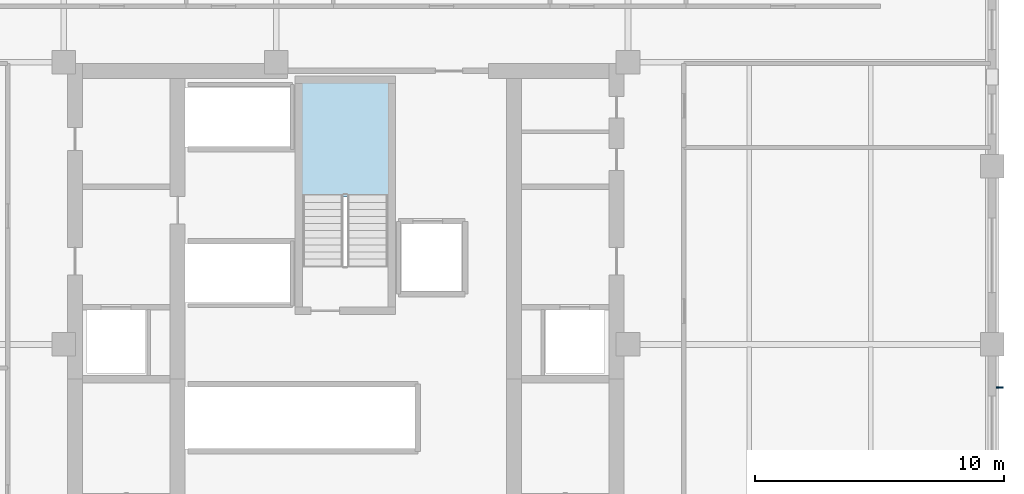
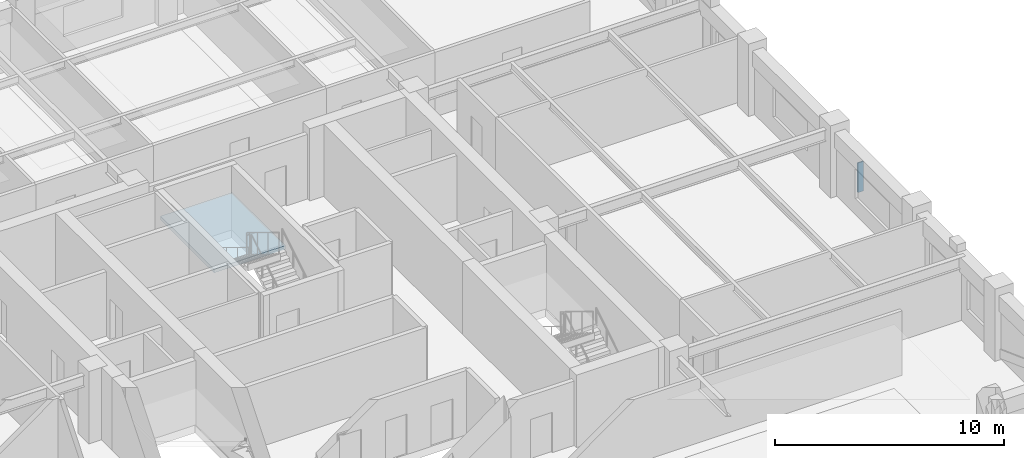
# One storey, part 4 of 12: 1 plate, 1 slab, 1 element without a shape of its own.
"""IFC4 building model written with IfcOpenShell, lengths in metres."""

from ifc_helpers import new_model, si_unit, direction, frame, origin, origin_2d, place, context, subcontext, project, spatial, polyline, rectangle, outline, extrude, material, layer, layer_set, type_object, element, aggregate, save


model = new_model("IFC4")

# Units and contexts
model_context = context("Model", 3, precision=1e-05, world=origin(), true_north=direction((0.0, 1.0)))
body_context = subcontext(model_context, "Body", "Model", "MODEL_VIEW")
ifc_project = project(units=[si_unit("LENGTHUNIT", "METRE"), si_unit("AREAUNIT", "SQUARE_METRE"), si_unit("VOLUMEUNIT", "CUBIC_METRE"), si_unit("PLANEANGLEUNIT", "RADIAN"), si_unit("MASSUNIT", "GRAM", prefix="KILO")], contexts=[model_context])

# Site, building, storey
site_placement = place(None, origin())
site = spatial("IfcSite", under=ifc_project, at=site_placement, CompositionType="ELEMENT")
building_placement = place(site_placement, origin())
building = spatial("IfcBuilding", under=site, at=building_placement, Name="Nhamokura Convention Tower", CompositionType="ELEMENT")
storey_placement = place(building_placement, frame((0.0, 0.0, 110.60009765625)))
storey = spatial("IfcBuildingStorey", under=building, at=storey_placement, Name="L26", CompositionType="ELEMENT", Elevation=110.60009765625)

# Plate
ifc_material_1 = material(Name="Anodised bronze aluminium AA6063-T6", Category="aluminium")
plate_type = type_object("IfcPlateType", Name="BronzeSolarFin_2", PredefinedType="USERDEFINED", material=ifc_material_1)
plate_placement = place(storey_placement, frame((58.300048828125, 30.2666015625, 0.849853515625), z_axis=(0.0, 0.0, 1.0), x_axis=(1.0, 0.0, 0.0)))
element("IfcPlate", 1, at=plate_placement, inside=storey, type_object=plate_type, Name="L26 Bronze Solar Shading Fin EAST 2", ObjectType="SOLAR_FIN", PredefinedType="USERDEFINED", context=body_context, shape_type="SweptSolid", body=[
    extrude(rectangle(XDim=0.280029296875, YDim=0.06005859375, at=origin_2d()), origin(), (0.0, 0.0, 1.0), 1.580078125),
])

# Stair, slab
ifc_material_2 = material(Name="Concrete C40/50", Category="concrete")
stair_type = type_object("IfcStairType", Name="TowerCoreStair_1650", PredefinedType="HALF_TURN_STAIR", material=ifc_material_2)
stair_placement = place(storey_placement, origin())
stair = element("IfcStair", 2, at=stair_placement, inside=storey, type_object=stair_type, Name="L26 North Core Smokeproof Stair ST-03", PredefinedType="HALF_TURN_STAIR")
ifc_material_3 = material(Name="Concrete C40/50", Category="concrete")
ifc_layer = layer(ifc_material_3, 0.199951171875)
ifc_layer_set = layer_set([ifc_layer], Name="StairLandingSlab_200")
slab_type = type_object("IfcSlabType", Name="StairLandingSlab_200", PredefinedType="LANDING", material=ifc_layer_set)
slab_placement = place(storey_placement, frame((0.0, 0.0, 1.724853515625)))
slab = element("IfcSlab", 3, at=slab_placement, type_object=slab_type, Name="ST-03 landing 1", PredefinedType="LANDING", context=body_context, shape_type="SweptSolid", body=[
    extrude(outline(polyline([(33.780029296875, 37.919921875), (33.780029296875, 42.580078125), (30.169921875, 42.580078125), (30.169921875, 37.919921875), (33.780029296875, 37.919921875)])), origin(), (0.0, 0.0, 1.0), 0.199951171875),
])
aggregate(stair, [slab])

save(model, "model.ifc")
